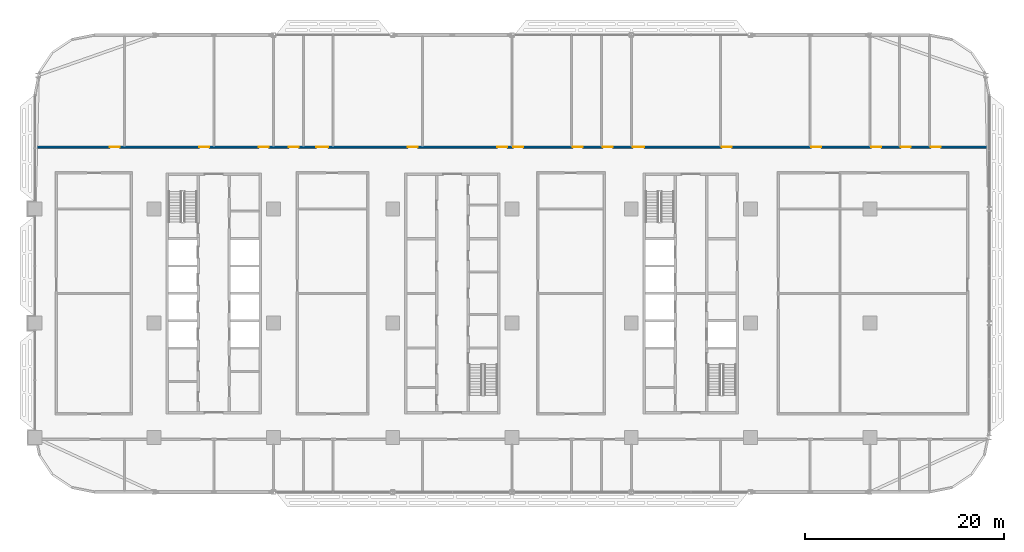
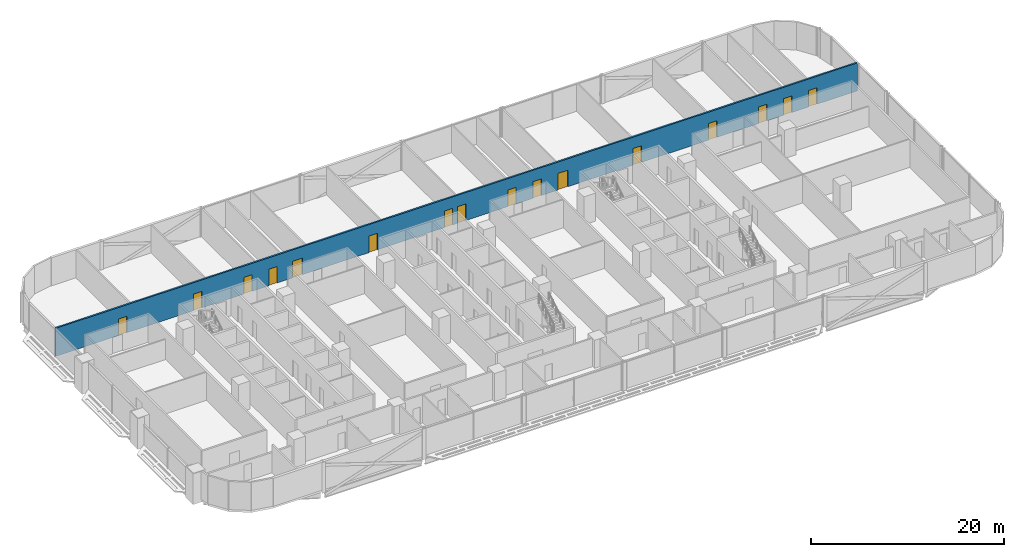
# One storey, part 15 of 29: 16 doors, 1 wall, 16 openings.
"""IFC4 building model written with IfcOpenShell, lengths in metres."""

from ifc_helpers import new_model, si_unit, direction, frame, frame_2d, origin, place, context, subcontext, project, spatial, rectangle, extrude, material, layer, layer_set, type_object, element, fill, save


model = new_model("IFC4")

# Units and contexts
model_context = context("Model", 3, precision=1e-05, world=origin(), true_north=direction((0.0, 1.0)))
body_context = subcontext(model_context, "Body", "Model", "MODEL_VIEW")
ifc_project = project(units=[si_unit("LENGTHUNIT", "METRE"), si_unit("AREAUNIT", "SQUARE_METRE"), si_unit("VOLUMEUNIT", "CUBIC_METRE"), si_unit("PLANEANGLEUNIT", "RADIAN"), si_unit("MASSUNIT", "GRAM", prefix="KILO")], contexts=[model_context])

# Site, building, storey
site_placement = place(None, origin())
site = spatial("IfcSite", under=ifc_project, at=site_placement, CompositionType="ELEMENT")
building_placement = place(site_placement, origin())
building = spatial("IfcBuilding", under=site, at=building_placement, Name="Mahtab Terrace Research Tower", CompositionType="ELEMENT")
storey_placement = place(building_placement, frame((0.0, 0.0, 113.5)))
storey = spatial("IfcBuildingStorey", under=building, at=storey_placement, Name="L26", CompositionType="ELEMENT", Elevation=113.5)

# Wall, openings, doors
ifc_material_1 = material(Name="Gypsum board corridor wall on steel studs", Category="steel")
ifc_layer = layer(ifc_material_1, 0.199951171875)
ifc_layer_set = layer_set([ifc_layer], Name="WALL CORRIDOR 200")
wall_type = type_object("IfcWallType", Name="WALL CORRIDOR 200", PredefinedType="PARTITIONING", material=ifc_layer_set)
wall_placement = place(storey_placement, frame((-41.97509765625, 17.699951171875, 0.0), z_axis=(0.0, 0.0, 1.0), x_axis=(1.0, 0.0, 0.0)))
wall = element("IfcWall", 1, at=wall_placement, inside=storey, type_object=wall_type, Name="L26-W026", PredefinedType="PARTITIONING", context=body_context, shape_type="SweptSolid", body=[
    extrude(rectangle(XDim=95.9501953125, YDim=0.199951171875, at=frame_2d((47.97509765625, 0.0))), origin(), (0.0, 0.0, 1.0), 3.550048828125),
])
opening_1_placement = place(wall_placement, frame((7.5, 0.0, 0.0)))
opening_1 = element("IfcOpeningElement", 2, at=opening_1_placement, cuts=wall, Name="Opening L26-132", PredefinedType="OPENING", context=body_context, shape_type="SweptSolid", body=[
    extrude(rectangle(XDim=1.0, YDim=2.10009765625, at=frame_2d((0.5, 1.050048828125))), frame((0.0, 0.10986328125, 0.0), z_axis=(0.0, -1.0, 0.0), x_axis=(1.0, 0.0, 0.0)), (0.0, 0.0, 1.0), 0.219970703125),
])
opening_2_placement = place(wall_placement, frame((16.5, 0.0, 0.0)))
opening_2 = element("IfcOpeningElement", 3, at=opening_2_placement, cuts=wall, Name="Opening L26-133", PredefinedType="OPENING", context=body_context, shape_type="SweptSolid", body=[
    extrude(rectangle(XDim=1.0, YDim=2.10009765625, at=frame_2d((0.5, 1.050048828125))), frame((0.0, 0.10986328125, 0.0), z_axis=(0.0, -1.0, 0.0), x_axis=(1.0, 0.0, 0.0)), (0.0, 0.0, 1.0), 0.219970703125),
])
opening_3_placement = place(wall_placement, frame((22.5, 0.0, 0.0)))
opening_3 = element("IfcOpeningElement", 4, at=opening_3_placement, cuts=wall, Name="Opening L26-134", PredefinedType="OPENING", context=body_context, shape_type="SweptSolid", body=[
    extrude(rectangle(XDim=1.0, YDim=2.10009765625, at=frame_2d((0.5, 1.050048828125))), frame((0.0, 0.10986328125, 0.0), z_axis=(0.0, -1.0, 0.0), x_axis=(1.0, 0.0, 0.0)), (0.0, 0.0, 1.0), 0.219970703125),
])
opening_4_placement = place(wall_placement, frame((25.5, 0.0, 0.0)))
opening_4 = element("IfcOpeningElement", 5, at=opening_4_placement, cuts=wall, Name="Opening L26-135", PredefinedType="OPENING", context=body_context, shape_type="SweptSolid", body=[
    extrude(rectangle(XDim=1.0, YDim=2.10009765625, at=frame_2d((0.5, 1.050048828125))), frame((0.0, 0.10986328125, 0.0), z_axis=(0.0, -1.0, 0.0), x_axis=(1.0, 0.0, 0.0)), (0.0, 0.0, 1.0), 0.219970703125),
])
opening_5_placement = place(wall_placement, frame((28.300048828125, 0.0, 0.0)))
opening_5 = element("IfcOpeningElement", 6, at=opening_5_placement, cuts=wall, Name="Opening L26-136", PredefinedType="OPENING", context=body_context, shape_type="SweptSolid", body=[
    extrude(rectangle(XDim=1.199951171875, YDim=2.10009765625, at=frame_2d((0.60009765625, 1.050048828125))), frame((0.0, 0.10986328125, 0.0), z_axis=(0.0, -1.0, 0.0), x_axis=(1.0, 0.0, 0.0)), (0.0, 0.0, 1.0), 0.219970703125),
])
opening_6_placement = place(wall_placement, frame((37.5, 0.0, 0.0)))
opening_6 = element("IfcOpeningElement", 7, at=opening_6_placement, cuts=wall, Name="Opening L26-137", PredefinedType="OPENING", context=body_context, shape_type="SweptSolid", body=[
    extrude(rectangle(XDim=1.0, YDim=2.10009765625, at=frame_2d((0.5, 1.050048828125))), frame((0.0, 0.10986328125, 0.0), z_axis=(0.0, -1.0, 0.0), x_axis=(1.0, 0.0, 0.0)), (0.0, 0.0, 1.0), 0.219970703125),
])
opening_7_placement = place(wall_placement, frame((46.5, 0.0, 0.0)))
opening_7 = element("IfcOpeningElement", 8, at=opening_7_placement, cuts=wall, Name="Opening L26-138", PredefinedType="OPENING", context=body_context, shape_type="SweptSolid", body=[
    extrude(rectangle(XDim=1.0, YDim=2.10009765625, at=frame_2d((0.5, 1.050048828125))), frame((0.0, 0.10986328125, 0.0), z_axis=(0.0, -1.0, 0.0), x_axis=(1.0, 0.0, 0.0)), (0.0, 0.0, 1.0), 0.219970703125),
])
opening_8_placement = place(wall_placement, frame((48.10009765625, 0.0, 0.0)))
opening_8 = element("IfcOpeningElement", 9, at=opening_8_placement, cuts=wall, Name="Opening L26-139", PredefinedType="OPENING", context=body_context, shape_type="SweptSolid", body=[
    extrude(rectangle(XDim=1.0, YDim=2.10009765625, at=frame_2d((0.5, 1.050048828125))), frame((0.0, 0.10986328125, 0.0), z_axis=(0.0, -1.0, 0.0), x_axis=(1.0, 0.0, 0.0)), (0.0, 0.0, 1.0), 0.219970703125),
])
opening_9_placement = place(wall_placement, frame((54.10009765625, 0.0, 0.0)))
opening_9 = element("IfcOpeningElement", 10, at=opening_9_placement, cuts=wall, Name="Opening L26-140", PredefinedType="OPENING", context=body_context, shape_type="SweptSolid", body=[
    extrude(rectangle(XDim=1.0, YDim=2.10009765625, at=frame_2d((0.5, 1.050048828125))), frame((0.0, 0.10986328125, 0.0), z_axis=(0.0, -1.0, 0.0), x_axis=(1.0, 0.0, 0.0)), (0.0, 0.0, 1.0), 0.219970703125),
])
opening_10_placement = place(wall_placement, frame((57.10009765625, 0.0, 0.0)))
opening_10 = element("IfcOpeningElement", 11, at=opening_10_placement, cuts=wall, Name="Opening L26-141", PredefinedType="OPENING", context=body_context, shape_type="SweptSolid", body=[
    extrude(rectangle(XDim=1.0, YDim=2.10009765625, at=frame_2d((0.5, 1.050048828125))), frame((0.0, 0.10986328125, 0.0), z_axis=(0.0, -1.0, 0.0), x_axis=(1.0, 0.0, 0.0)), (0.0, 0.0, 1.0), 0.219970703125),
])
opening_11_placement = place(wall_placement, frame((60.10009765625, 0.0, 0.0)))
opening_11 = element("IfcOpeningElement", 12, at=opening_11_placement, cuts=wall, Name="Opening L26-142", PredefinedType="OPENING", context=body_context, shape_type="SweptSolid", body=[
    extrude(rectangle(XDim=1.199951171875, YDim=2.10009765625, at=frame_2d((0.60009765625, 1.050048828125))), frame((0.0, 0.10986328125, 0.0), z_axis=(0.0, -1.0, 0.0), x_axis=(1.0, 0.0, 0.0)), (0.0, 0.0, 1.0), 0.219970703125),
])
opening_12_placement = place(wall_placement, frame((69.10009765625, 0.0, 0.0)))
opening_12 = element("IfcOpeningElement", 13, at=opening_12_placement, cuts=wall, Name="Opening L26-143", PredefinedType="OPENING", context=body_context, shape_type="SweptSolid", body=[
    extrude(rectangle(XDim=1.0, YDim=2.10009765625, at=frame_2d((0.5, 1.050048828125))), frame((0.0, 0.10986328125, 0.0), z_axis=(0.0, -1.0, 0.0), x_axis=(1.0, 0.0, 0.0)), (0.0, 0.0, 1.0), 0.219970703125),
])
opening_13_placement = place(wall_placement, frame((78.10009765625, 0.0, 0.0)))
opening_13 = element("IfcOpeningElement", 14, at=opening_13_placement, cuts=wall, Name="Opening L26-144", PredefinedType="OPENING", context=body_context, shape_type="SweptSolid", body=[
    extrude(rectangle(XDim=1.0, YDim=2.10009765625, at=frame_2d((0.5, 1.050048828125))), frame((0.0, 0.10986328125, 0.0), z_axis=(0.0, -1.0, 0.0), x_axis=(1.0, 0.0, 0.0)), (0.0, 0.0, 1.0), 0.219970703125),
])
opening_14_placement = place(wall_placement, frame((84.10009765625, 0.0, 0.0)))
opening_14 = element("IfcOpeningElement", 15, at=opening_14_placement, cuts=wall, Name="Opening L26-145", PredefinedType="OPENING", context=body_context, shape_type="SweptSolid", body=[
    extrude(rectangle(XDim=1.0, YDim=2.10009765625, at=frame_2d((0.5, 1.050048828125))), frame((0.0, 0.10986328125, 0.0), z_axis=(0.0, -1.0, 0.0), x_axis=(1.0, 0.0, 0.0)), (0.0, 0.0, 1.0), 0.219970703125),
])
opening_15_placement = place(wall_placement, frame((87.10009765625, 0.0, 0.0)))
opening_15 = element("IfcOpeningElement", 16, at=opening_15_placement, cuts=wall, Name="Opening L26-146", PredefinedType="OPENING", context=body_context, shape_type="SweptSolid", body=[
    extrude(rectangle(XDim=1.0, YDim=2.10009765625, at=frame_2d((0.5, 1.050048828125))), frame((0.0, 0.10986328125, 0.0), z_axis=(0.0, -1.0, 0.0), x_axis=(1.0, 0.0, 0.0)), (0.0, 0.0, 1.0), 0.219970703125),
])
opening_16_placement = place(wall_placement, frame((90.10009765625, 0.0, 0.0)))
opening_16 = element("IfcOpeningElement", 17, at=opening_16_placement, cuts=wall, Name="Opening L26-147", PredefinedType="OPENING", context=body_context, shape_type="SweptSolid", body=[
    extrude(rectangle(XDim=1.0, YDim=2.10009765625, at=frame_2d((0.5, 1.050048828125))), frame((0.0, 0.10986328125, 0.0), z_axis=(0.0, -1.0, 0.0), x_axis=(1.0, 0.0, 0.0)), (0.0, 0.0, 1.0), 0.219970703125),
])
ifc_material_2 = material(Name="Timber door leaf in steel frame", Category="steel")
door_type_1 = type_object("IfcDoorType", Name="DOOR 1000X2100 FD30S", OperationType="SINGLE_SWING_LEFT", PredefinedType="DOOR", material=ifc_material_2)
door_1_placement = place(opening_1_placement, origin())
door_1 = element("IfcDoor", 18, at=door_1_placement, inside=storey, type_object=door_type_1, Name="Door L26-132", OperationType="SINGLE_SWING_LEFT", OverallHeight=2.10009765625, OverallWidth=1.0, PredefinedType="DOOR", context=body_context, shape_type="SweptSolid", body=[
    extrude(rectangle(XDim=1.0, YDim=2.10009765625, at=frame_2d((0.5, 1.050048828125))), frame((0.0, 0.02490234375, 0.0), z_axis=(0.0, -1.0, 0.0), x_axis=(1.0, 0.0, 0.0)), (0.0, 0.0, 1.0), 0.050048828125),
])
fill(opening_1, door_1)
door_2_placement = place(opening_2_placement, origin())
door_2 = element("IfcDoor", 19, at=door_2_placement, inside=storey, type_object=door_type_1, Name="Door L26-133", OperationType="SINGLE_SWING_LEFT", OverallHeight=2.10009765625, OverallWidth=1.0, PredefinedType="DOOR", context=body_context, shape_type="SweptSolid", body=[
    extrude(rectangle(XDim=1.0, YDim=2.10009765625, at=frame_2d((0.5, 1.050048828125))), frame((0.0, 0.02490234375, 0.0), z_axis=(0.0, -1.0, 0.0), x_axis=(1.0, 0.0, 0.0)), (0.0, 0.0, 1.0), 0.050048828125),
])
fill(opening_2, door_2)
door_3_placement = place(opening_3_placement, origin())
door_3 = element("IfcDoor", 20, at=door_3_placement, inside=storey, type_object=door_type_1, Name="Door L26-134", OperationType="SINGLE_SWING_LEFT", OverallHeight=2.10009765625, OverallWidth=1.0, PredefinedType="DOOR", context=body_context, shape_type="SweptSolid", body=[
    extrude(rectangle(XDim=1.0, YDim=2.10009765625, at=frame_2d((0.5, 1.050048828125))), frame((0.0, 0.02490234375, 0.0), z_axis=(0.0, -1.0, 0.0), x_axis=(1.0, 0.0, 0.0)), (0.0, 0.0, 1.0), 0.050048828125),
])
fill(opening_3, door_3)
door_4_placement = place(opening_4_placement, origin())
door_4 = element("IfcDoor", 21, at=door_4_placement, inside=storey, type_object=door_type_1, Name="Door L26-135", OperationType="SINGLE_SWING_LEFT", OverallHeight=2.10009765625, OverallWidth=1.0, PredefinedType="DOOR", context=body_context, shape_type="SweptSolid", body=[
    extrude(rectangle(XDim=1.0, YDim=2.10009765625, at=frame_2d((0.5, 1.050048828125))), frame((0.0, 0.02490234375, 0.0), z_axis=(0.0, -1.0, 0.0), x_axis=(1.0, 0.0, 0.0)), (0.0, 0.0, 1.0), 0.050048828125),
])
fill(opening_4, door_4)
door_5_placement = place(opening_6_placement, origin())
door_5 = element("IfcDoor", 22, at=door_5_placement, inside=storey, type_object=door_type_1, Name="Door L26-137", OperationType="SINGLE_SWING_LEFT", OverallHeight=2.10009765625, OverallWidth=1.0, PredefinedType="DOOR", context=body_context, shape_type="SweptSolid", body=[
    extrude(rectangle(XDim=1.0, YDim=2.10009765625, at=frame_2d((0.5, 1.050048828125))), frame((0.0, 0.02490234375, 0.0), z_axis=(0.0, -1.0, 0.0), x_axis=(1.0, 0.0, 0.0)), (0.0, 0.0, 1.0), 0.050048828125),
])
fill(opening_6, door_5)
door_6_placement = place(opening_7_placement, origin())
door_6 = element("IfcDoor", 23, at=door_6_placement, inside=storey, type_object=door_type_1, Name="Door L26-138", OperationType="SINGLE_SWING_LEFT", OverallHeight=2.10009765625, OverallWidth=1.0, PredefinedType="DOOR", context=body_context, shape_type="SweptSolid", body=[
    extrude(rectangle(XDim=1.0, YDim=2.10009765625, at=frame_2d((0.5, 1.050048828125))), frame((0.0, 0.02490234375, 0.0), z_axis=(0.0, -1.0, 0.0), x_axis=(1.0, 0.0, 0.0)), (0.0, 0.0, 1.0), 0.050048828125),
])
fill(opening_7, door_6)
door_7_placement = place(opening_8_placement, origin())
door_7 = element("IfcDoor", 24, at=door_7_placement, inside=storey, type_object=door_type_1, Name="Door L26-139", OperationType="SINGLE_SWING_RIGHT", OverallHeight=2.10009765625, OverallWidth=1.0, PredefinedType="DOOR", context=body_context, shape_type="SweptSolid", body=[
    extrude(rectangle(XDim=1.0, YDim=2.10009765625, at=frame_2d((0.5, 1.050048828125))), frame((0.0, 0.02490234375, 0.0), z_axis=(0.0, -1.0, 0.0), x_axis=(1.0, 0.0, 0.0)), (0.0, 0.0, 1.0), 0.050048828125),
])
fill(opening_8, door_7)
door_8_placement = place(opening_9_placement, origin())
door_8 = element("IfcDoor", 25, at=door_8_placement, inside=storey, type_object=door_type_1, Name="Door L26-140", OperationType="SINGLE_SWING_RIGHT", OverallHeight=2.10009765625, OverallWidth=1.0, PredefinedType="DOOR", context=body_context, shape_type="SweptSolid", body=[
    extrude(rectangle(XDim=1.0, YDim=2.10009765625, at=frame_2d((0.5, 1.050048828125))), frame((0.0, 0.02490234375, 0.0), z_axis=(0.0, -1.0, 0.0), x_axis=(1.0, 0.0, 0.0)), (0.0, 0.0, 1.0), 0.050048828125),
])
fill(opening_9, door_8)
door_9_placement = place(opening_10_placement, origin())
door_9 = element("IfcDoor", 26, at=door_9_placement, inside=storey, type_object=door_type_1, Name="Door L26-141", OperationType="SINGLE_SWING_RIGHT", OverallHeight=2.10009765625, OverallWidth=1.0, PredefinedType="DOOR", context=body_context, shape_type="SweptSolid", body=[
    extrude(rectangle(XDim=1.0, YDim=2.10009765625, at=frame_2d((0.5, 1.050048828125))), frame((0.0, 0.02490234375, 0.0), z_axis=(0.0, -1.0, 0.0), x_axis=(1.0, 0.0, 0.0)), (0.0, 0.0, 1.0), 0.050048828125),
])
fill(opening_10, door_9)
door_10_placement = place(opening_12_placement, origin())
door_10 = element("IfcDoor", 27, at=door_10_placement, inside=storey, type_object=door_type_1, Name="Door L26-143", OperationType="SINGLE_SWING_RIGHT", OverallHeight=2.10009765625, OverallWidth=1.0, PredefinedType="DOOR", context=body_context, shape_type="SweptSolid", body=[
    extrude(rectangle(XDim=1.0, YDim=2.10009765625, at=frame_2d((0.5, 1.050048828125))), frame((0.0, 0.02490234375, 0.0), z_axis=(0.0, -1.0, 0.0), x_axis=(1.0, 0.0, 0.0)), (0.0, 0.0, 1.0), 0.050048828125),
])
fill(opening_12, door_10)
door_11_placement = place(opening_13_placement, origin())
door_11 = element("IfcDoor", 28, at=door_11_placement, inside=storey, type_object=door_type_1, Name="Door L26-144", OperationType="SINGLE_SWING_RIGHT", OverallHeight=2.10009765625, OverallWidth=1.0, PredefinedType="DOOR", context=body_context, shape_type="SweptSolid", body=[
    extrude(rectangle(XDim=1.0, YDim=2.10009765625, at=frame_2d((0.5, 1.050048828125))), frame((0.0, 0.02490234375, 0.0), z_axis=(0.0, -1.0, 0.0), x_axis=(1.0, 0.0, 0.0)), (0.0, 0.0, 1.0), 0.050048828125),
])
fill(opening_13, door_11)
door_12_placement = place(opening_14_placement, origin())
door_12 = element("IfcDoor", 29, at=door_12_placement, inside=storey, type_object=door_type_1, Name="Door L26-145", OperationType="SINGLE_SWING_RIGHT", OverallHeight=2.10009765625, OverallWidth=1.0, PredefinedType="DOOR", context=body_context, shape_type="SweptSolid", body=[
    extrude(rectangle(XDim=1.0, YDim=2.10009765625, at=frame_2d((0.5, 1.050048828125))), frame((0.0, 0.02490234375, 0.0), z_axis=(0.0, -1.0, 0.0), x_axis=(1.0, 0.0, 0.0)), (0.0, 0.0, 1.0), 0.050048828125),
])
fill(opening_14, door_12)
door_13_placement = place(opening_15_placement, origin())
door_13 = element("IfcDoor", 30, at=door_13_placement, inside=storey, type_object=door_type_1, Name="Door L26-146", OperationType="SINGLE_SWING_RIGHT", OverallHeight=2.10009765625, OverallWidth=1.0, PredefinedType="DOOR", context=body_context, shape_type="SweptSolid", body=[
    extrude(rectangle(XDim=1.0, YDim=2.10009765625, at=frame_2d((0.5, 1.050048828125))), frame((0.0, 0.02490234375, 0.0), z_axis=(0.0, -1.0, 0.0), x_axis=(1.0, 0.0, 0.0)), (0.0, 0.0, 1.0), 0.050048828125),
])
fill(opening_15, door_13)
door_14_placement = place(opening_16_placement, origin())
door_14 = element("IfcDoor", 31, at=door_14_placement, inside=storey, type_object=door_type_1, Name="Door L26-147", OperationType="SINGLE_SWING_RIGHT", OverallHeight=2.10009765625, OverallWidth=1.0, PredefinedType="DOOR", context=body_context, shape_type="SweptSolid", body=[
    extrude(rectangle(XDim=1.0, YDim=2.10009765625, at=frame_2d((0.5, 1.050048828125))), frame((0.0, 0.02490234375, 0.0), z_axis=(0.0, -1.0, 0.0), x_axis=(1.0, 0.0, 0.0)), (0.0, 0.0, 1.0), 0.050048828125),
])
fill(opening_16, door_14)
door_type_2 = type_object("IfcDoorType", Name="DOOR 1200X2100 FD30S", OperationType="SINGLE_SWING_LEFT", PredefinedType="DOOR", material=ifc_material_2)
door_15_placement = place(opening_5_placement, origin())
door_15 = element("IfcDoor", 32, at=door_15_placement, inside=storey, type_object=door_type_2, Name="Door L26-136", OperationType="SINGLE_SWING_LEFT", OverallHeight=2.10009765625, OverallWidth=1.199951171875, PredefinedType="DOOR", context=body_context, shape_type="SweptSolid", body=[
    extrude(rectangle(XDim=1.199951171875, YDim=2.10009765625, at=frame_2d((0.60009765625, 1.050048828125))), frame((0.0, 0.02490234375, 0.0), z_axis=(0.0, -1.0, 0.0), x_axis=(1.0, 0.0, 0.0)), (0.0, 0.0, 1.0), 0.050048828125),
])
fill(opening_5, door_15)
door_16_placement = place(opening_11_placement, origin())
door_16 = element("IfcDoor", 33, at=door_16_placement, inside=storey, type_object=door_type_2, Name="Door L26-142", OperationType="SINGLE_SWING_RIGHT", OverallHeight=2.10009765625, OverallWidth=1.199951171875, PredefinedType="DOOR", context=body_context, shape_type="SweptSolid", body=[
    extrude(rectangle(XDim=1.199951171875, YDim=2.10009765625, at=frame_2d((0.60009765625, 1.050048828125))), frame((0.0, 0.02490234375, 0.0), z_axis=(0.0, -1.0, 0.0), x_axis=(1.0, 0.0, 0.0)), (0.0, 0.0, 1.0), 0.050048828125),
])
fill(opening_11, door_16)

save(model, "model.ifc")
